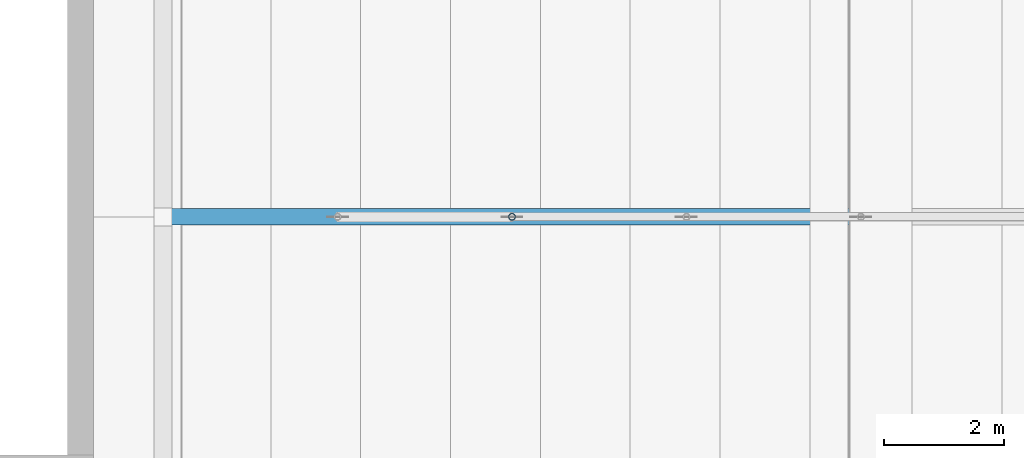
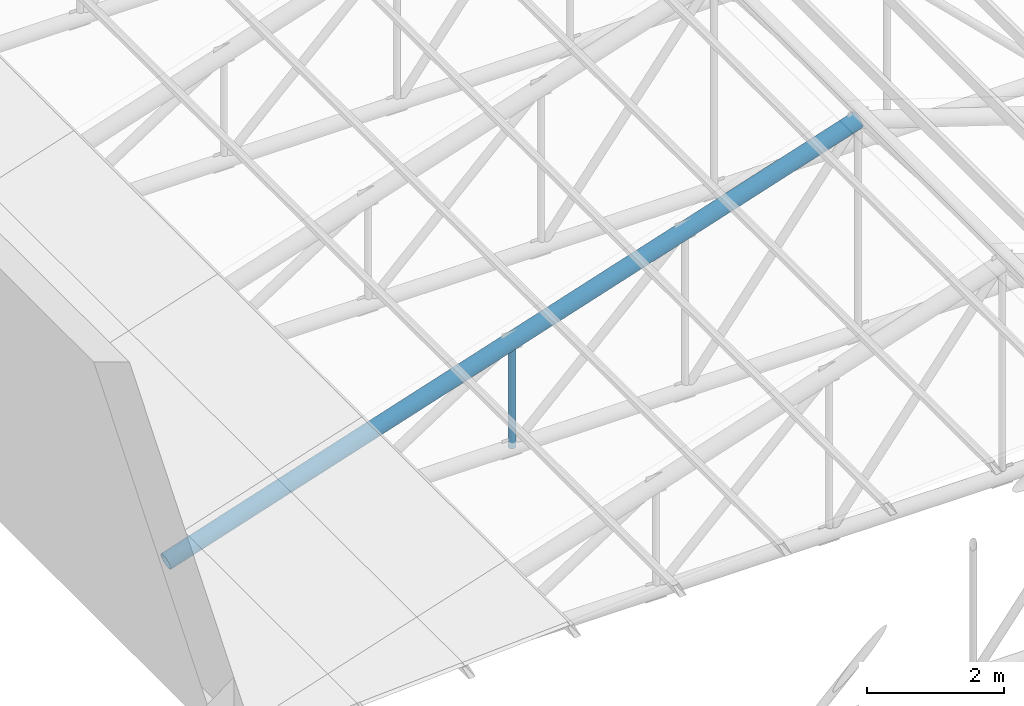
# One storey, part 23 of 95: 2 members.
"""IFC4 building model written with IfcOpenShell, lengths in metres."""

from ifc_helpers import new_model, si_unit, direction, frame, origin, origin_2d, place, context, subcontext, project, spatial, hollow_circle, extrude, material, material_profile, profile_set, type_object, element, save


model = new_model("IFC4")

# Units and contexts
model_context = context("Model", 3, precision=1e-05, world=origin(), true_north=direction((0.0, 1.0)))
body_context = subcontext(model_context, "Body", "Model", "MODEL_VIEW")
ifc_project = project(units=[si_unit("LENGTHUNIT", "METRE"), si_unit("AREAUNIT", "SQUARE_METRE"), si_unit("VOLUMEUNIT", "CUBIC_METRE"), si_unit("PLANEANGLEUNIT", "RADIAN"), si_unit("MASSUNIT", "GRAM", prefix="KILO")], contexts=[model_context])

# Site, building, storey
site_placement = place(None, origin())
site = spatial("IfcSite", under=ifc_project, at=site_placement, CompositionType="ELEMENT")
building_placement = place(site_placement, origin())
building = spatial("IfcBuilding", under=site, at=building_placement, Name="Kiln Court Media Centre", CompositionType="ELEMENT")
storey_placement = place(building_placement, frame((0.0, 0.0, 24.60009765625)))
storey = spatial("IfcBuildingStorey", under=building, at=storey_placement, Name="L05", CompositionType="ELEMENT", Elevation=24.60009765625)

# Members
ifc_material_1 = material(Name="Steel ASTM A500 Gr C", Category="steel")
ifc_material_profile_1 = material_profile(ifc_material_1, hollow_circle(Radius=0.05712890625, WallThickness=0.0048828125, at=origin_2d()), Name="CHS 114.3x5.0")
ifc_profile_set_1 = profile_set([ifc_material_profile_1], Name="Steel ASTM A500 Gr C")
member_type_1 = type_object("IfcMemberType", Name="Steel ASTM A500 Gr C CHS 114.3x5.0 truss web", PredefinedType="BRACE", material=ifc_profile_set_1)
member_1_placement = place(storey_placement, frame((40.574951171875, 46.199951171875, -0.013916015625), z_axis=(0.0, 0.0, 1.0), x_axis=(1.0, 0.0, 0.0)))
element("IfcMember", 1, at=member_1_placement, inside=storey, type_object=member_type_1, Name="foyer truss FT-06 post 2 truss web", PredefinedType="BRACE", context=body_context, shape_type="SweptSolid", body=[
    extrude(hollow_circle(Radius=0.05712890625, WallThickness=0.0048828125, at=origin_2d()), origin(), (0.0, 0.0, 1.0), 1.892822265625),
])
ifc_material_2 = material(Name="Steel ASTM A500 Gr C", Category="steel")
ifc_material_profile_2 = material_profile(ifc_material_2, hollow_circle(Radius=0.136474609375, WallThickness=0.010009765625, at=origin_2d()), Name="CHS 273.0x10.0")
ifc_profile_set_2 = profile_set([ifc_material_profile_2], Name="Steel ASTM A500 Gr C")
member_type_2 = type_object("IfcMemberType", Name="Steel ASTM A500 Gr C CHS 273.0x10.0 truss chord", PredefinedType="CHORD", material=ifc_profile_set_2)
member_2_placement = place(storey_placement, frame((34.75, 46.199951171875, -0.013916015625), z_axis=(0.951053693326, 0.0, 0.309025682447), x_axis=(0.0, 1.0, 0.0)))
element("IfcMember", 2, at=member_2_placement, inside=storey, type_object=member_type_2, Name="foyer truss FT-06 west rafter truss chord", PredefinedType="CHORD", context=body_context, shape_type="SweptSolid", body=[
    extrude(hollow_circle(Radius=0.136474609375, WallThickness=0.010009765625, at=origin_2d()), origin(), (0.0, 0.0, 1.0), 12.24951171875),
])

save(model, "model.ifc")
